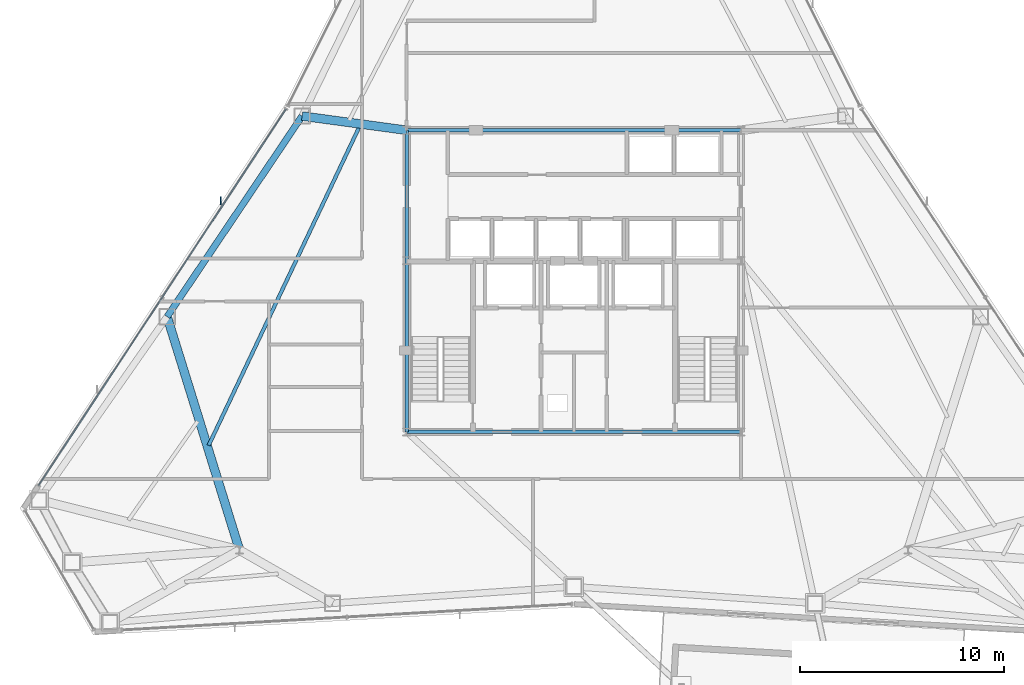
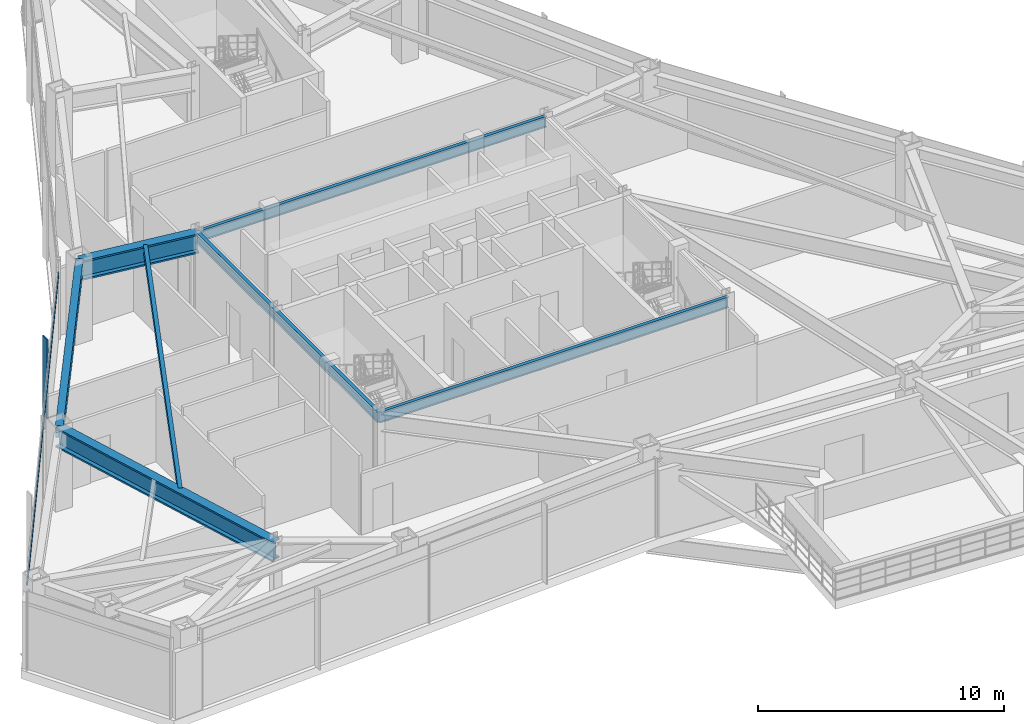
# One storey, part 4 of 13: 7 beams, 2 members, 1 element without a shape of its own.
"""IFC4 building model written with IfcOpenShell, lengths in metres."""

from ifc_helpers import new_model, si_unit, direction, frame, origin, origin_2d, place, context, subcontext, project, spatial, rectangle, i_section, extrude, source, transform, mapped, material, layer, layer_set, material_profile, profile_set, type_object, type_shapes, element, aggregate, save


model = new_model("IFC4")

# Units and contexts
model_context = context("Model", 3, precision=1e-05, world=origin(), true_north=direction((0.0, 1.0)))
body_context = subcontext(model_context, "Body", "Model", "MODEL_VIEW")
ifc_project = project(units=[si_unit("LENGTHUNIT", "METRE"), si_unit("AREAUNIT", "SQUARE_METRE"), si_unit("VOLUMEUNIT", "CUBIC_METRE"), si_unit("PLANEANGLEUNIT", "RADIAN"), si_unit("MASSUNIT", "GRAM", prefix="KILO")], contexts=[model_context])

# Site, building, storey
site_placement = place(None, origin())
site = spatial("IfcSite", under=ifc_project, at=site_placement, CompositionType="ELEMENT")
building_placement = place(site_placement, origin())
building = spatial("IfcBuilding", under=site, at=building_placement, Name="Varakhsha Concourse Tower", CompositionType="ELEMENT")
storey_placement = place(building_placement, frame((0.0, 0.0, 196.5)))
storey = spatial("IfcBuildingStorey", under=building, at=storey_placement, Name="L56", CompositionType="ELEMENT", Elevation=196.5)

# Beams
ifc_material_1 = material(Name="Structural Steel ASTM A992 Grade 50", Category="steel")
ifc_material_profile_1 = material_profile(ifc_material_1, i_section(OverallWidth=0.177978515625, OverallDepth=0.406982421875, WebThickness=0.008056640625, FlangeThickness=0.012939453125, at=origin_2d()), Name="W16X40")
ifc_profile_set_1 = profile_set([ifc_material_profile_1], Name="Structural Steel ASTM A992 Grade 50")
beam_type_1 = type_object("IfcBeamType", Name="BM-JST-W16X40", PredefinedType="JOIST", material=ifc_profile_set_1)
beam_1_placement = place(storey_placement, frame((29.4951171875, 31.4072265625, 3.736572265625), z_axis=(-0.427619476267, -0.903958839504, 0.0), x_axis=(0.903958839504, -0.427619476267, 0.0)))
element("IfcBeam", 1, at=beam_1_placement, inside=storey, type_object=beam_type_1, Name="BM-TJST-L56-05", PredefinedType="JOIST", context=body_context, shape_type="SweptSolid", body=[
    extrude(i_section(OverallWidth=0.177978515625, OverallDepth=0.406982421875, WebThickness=0.008056640625, FlangeThickness=0.012939453125, at=origin_2d()), origin(), (0.0, 0.0, 1.0), 17.33349609375),
])
ifc_material_profile_2 = material_profile(ifc_material_1, i_section(OverallWidth=0.1669921875, OverallDepth=0.534912109375, WebThickness=0.010009765625, FlangeThickness=0.01708984375, at=origin_2d()), Name="W21X57")
ifc_profile_set_2 = profile_set([ifc_material_profile_2], Name="Structural Steel ASTM A992 Grade 50")
beam_type_2 = type_object("IfcBeamType", Name="BM-RAD-W21X57", PredefinedType="BEAM", material=ifc_profile_set_2)
for number, where, z_axis, x_axis, name in (
    (2, (31.800048828125, 16.39990234375, 3.672607421875), (1.0, 0.0, 0.0), (0.0, 1.0, 0.0), "BM-TCORE-L56-CS"),
    (3, (31.800048828125, 31.199951171875, 3.672607421875), (1.0, 0.0, 0.0), (0.0, 1.0, 0.0), "BM-TCORE-L56-CN"),
):
    element("IfcBeam", number, at=place(storey_placement, frame(where, z_axis=z_axis, x_axis=x_axis)), inside=storey, type_object=beam_type_2, Name=name, PredefinedType="BEAM", context=body_context, shape_type="SweptSolid", body=[
        extrude(i_section(OverallWidth=0.1669921875, OverallDepth=0.534912109375, WebThickness=0.010009765625, FlangeThickness=0.01708984375, at=origin_2d()), origin(), (0.0, 0.0, 1.0), 16.39990234375),
    ])
beam_2_placement = place(storey_placement, frame((31.800048828125, 16.39990234375, 3.672607421875), z_axis=(0.0, 1.0, 0.0), x_axis=(-1.0, 0.0, 0.0)))
element("IfcBeam", 4, at=beam_2_placement, inside=storey, type_object=beam_type_2, Name="BM-TCORE-L56-CW", PredefinedType="BEAM", context=body_context, shape_type="SweptSolid", body=[
    extrude(i_section(OverallWidth=0.1669921875, OverallDepth=0.534912109375, WebThickness=0.010009765625, FlangeThickness=0.01708984375, at=origin_2d()), origin(), (0.0, 0.0, 1.0), 14.800048828125),
])
ifc_material_profile_3 = material_profile(ifc_material_1, i_section(OverallWidth=0.323974609375, OverallDepth=0.611083984375, WebThickness=0.012939453125, FlangeThickness=0.01904296875, at=origin_2d()), Name="W24X104")
ifc_profile_set_3 = profile_set([ifc_material_profile_3], Name="Structural Steel ASTM A992 Grade 50")
beam_type_3 = type_object("IfcBeamType", Name="BM-SPAN-W24X104", PredefinedType="SPANDREL", material=ifc_profile_set_3)
beam_3_placement = place(storey_placement, frame((26.668701171875, 31.89697265625, 3.634521484375), z_axis=(-0.558227944039, -0.829687629469, 0.0), x_axis=(0.829687629469, -0.558227944039, 0.0)))
element("IfcBeam", 5, at=beam_3_placement, inside=storey, type_object=beam_type_3, Name="BM-SPAN-L56-05", PredefinedType="SPANDREL", context=body_context, shape_type="SweptSolid", body=[
    extrude(i_section(OverallWidth=0.323974609375, OverallDepth=0.611083984375, WebThickness=0.012939453125, FlangeThickness=0.01904296875, at=origin_2d()), origin(), (0.0, 0.0, 1.0), 11.865234375),
])
ifc_material_profile_4 = material_profile(ifc_material_1, i_section(OverallWidth=0.427978515625, OverallDepth=0.97509765625, WebThickness=0.050048828125, FlangeThickness=0.0810546875, at=origin_2d()), Name="W36X395")
ifc_profile_set_4 = profile_set([ifc_material_profile_4], Name="Structural Steel ASTM A992 Grade 50")
beam_type_4 = type_object("IfcBeamType", Name="BM-XFER-W36X395", PredefinedType="USERDEFINED", material=ifc_profile_set_4)
beam_4_placement = place(storey_placement, frame((31.800048828125, 31.199951171875, 3.452392578125), z_axis=(-0.990900035804, 0.134599847855, 0.0), x_axis=(-0.134599847855, -0.990900035804, 0.0)))
element("IfcBeam", 6, at=beam_4_placement, inside=storey, type_object=beam_type_4, Name="L56 Radial Floor Girder 05", ObjectType="GIRDER", PredefinedType="USERDEFINED", context=body_context, shape_type="SweptSolid", body=[
    extrude(i_section(OverallWidth=0.427978515625, OverallDepth=0.97509765625, WebThickness=0.050048828125, FlangeThickness=0.0810546875, at=origin_2d()), origin(), (0.0, 0.0, 1.0), 5.178466796875),
])
beam_5_placement = place(storey_placement, frame((23.60009765625, 10.60009765625, 3.452392578125), z_axis=(-0.296455567501, 0.955046646242, 0.0), x_axis=(-0.955046646242, -0.296455567501, 0.0)))
element("IfcBeam", 7, at=beam_5_placement, inside=storey, type_object=beam_type_4, Name="L56 Radial Floor Girder 06", ObjectType="GIRDER", PredefinedType="USERDEFINED", context=body_context, shape_type="SweptSolid", body=[
    extrude(i_section(OverallWidth=0.427978515625, OverallDepth=0.97509765625, WebThickness=0.050048828125, FlangeThickness=0.0810546875, at=origin_2d()), origin(), (0.0, 0.0, 1.0), 11.991455078125),
])

# Curtain wall, members
ifc_material_2 = material(Name="Anodised Bronze Architectural Aluminium AA 6063-T6", Category="aluminium")
ifc_layer = layer(ifc_material_2, 0.2099609375, Name="CW-SYS-04")
ifc_layer_set = layer_set([ifc_layer], Name="Anodised Bronze Architectural Aluminium AA 6063-T6")
curtain_wall_type = type_object("IfcCurtainWallType", Name="CW-SYS-04", PredefinedType="NOTDEFINED", material=ifc_layer_set)
curtain_wall_placement = place(storey_placement, origin())
curtain_wall = element("IfcCurtainWall", 8, at=curtain_wall_placement, inside=storey, type_object=curtain_wall_type, Name="L56 Crystal Curtain Wall F3", PredefinedType="NOTDEFINED")
ifc_material_profile_5 = material_profile(ifc_material_2, rectangle(XDim=0.06005859375, YDim=0.3798828125, at=origin_2d()), Name="FIN-BRZ-380")
ifc_profile_set_5 = profile_set([ifc_material_profile_5], Name="Anodised Bronze Architectural Aluminium AA 6063-T6")
member_type_1 = type_object("IfcMemberType", Name="FIN-BRZ-380", PredefinedType="USERDEFINED", material=ifc_profile_set_5)
shared_shape_1 = source(origin(), body_context, "Body", "SweptSolid", [
    extrude(rectangle(XDim=0.06005859375, YDim=0.3798828125, at=origin_2d()), origin(), (0.0, 0.0, 1.0), 3.93994140625),
])
type_shapes(member_type_1, [shared_shape_1])
member_1_placement = place(storey_placement, frame((22.67529296875, 27.740478515625, 0.0), z_axis=(0.0, 0.0, 1.0), x_axis=(1.0, 0.0, 0.0)))
member_1 = element("IfcMember", 9, at=member_1_placement, type_object=member_type_1, Name="L56 Anodised Bronze Solar Fin F3-2", ObjectType="SOLAR FIN", PredefinedType="USERDEFINED", context=body_context, shape_type="MappedRepresentation", body=[
    mapped(shared_shape_1, transform((0.0, 0.0, 0.0), scale=1.0)),
])
ifc_material_profile_6 = material_profile(ifc_material_2, rectangle(XDim=0.06005859375, YDim=0.139892578125, at=origin_2d()), Name="CWT-140X60")
ifc_profile_set_6 = profile_set([ifc_material_profile_6], Name="Anodised Bronze Architectural Aluminium AA 6063-T6")
member_type_2 = type_object("IfcMemberType", Name="CWT-140X60", PredefinedType="USERDEFINED", material=ifc_profile_set_6)
shared_shape_2 = source(origin(), body_context, "Body", "SweptSolid", [
    extrude(rectangle(XDim=0.06005859375, YDim=0.139892578125, at=origin_2d()), origin(), (0.0, 0.0, 1.0), 22.1123046875),
])
type_shapes(member_type_2, [shared_shape_2])
member_2_placement = place(storey_placement, frame((13.74072265625, 13.767578125, 3.2900390625), z_axis=(0.549079621804, 0.835770045479, 0.0), x_axis=(-0.835770045479, 0.549079621804, 0.0)))
member_2 = element("IfcMember", 10, at=member_2_placement, type_object=member_type_2, Name="CW-L56-F3 Transom 01", ObjectType="TRANSOM", PredefinedType="USERDEFINED", context=body_context, shape_type="MappedRepresentation", body=[
    mapped(shared_shape_2, transform((0.0, 0.0, 0.0), scale=1.0)),
])
aggregate(curtain_wall, [member_2, member_1])

save(model, "model.ifc")
